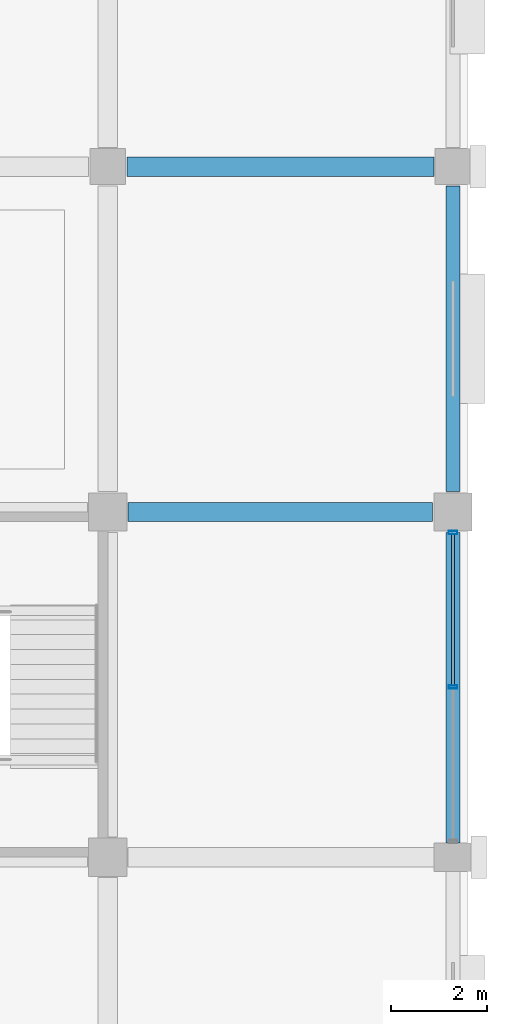
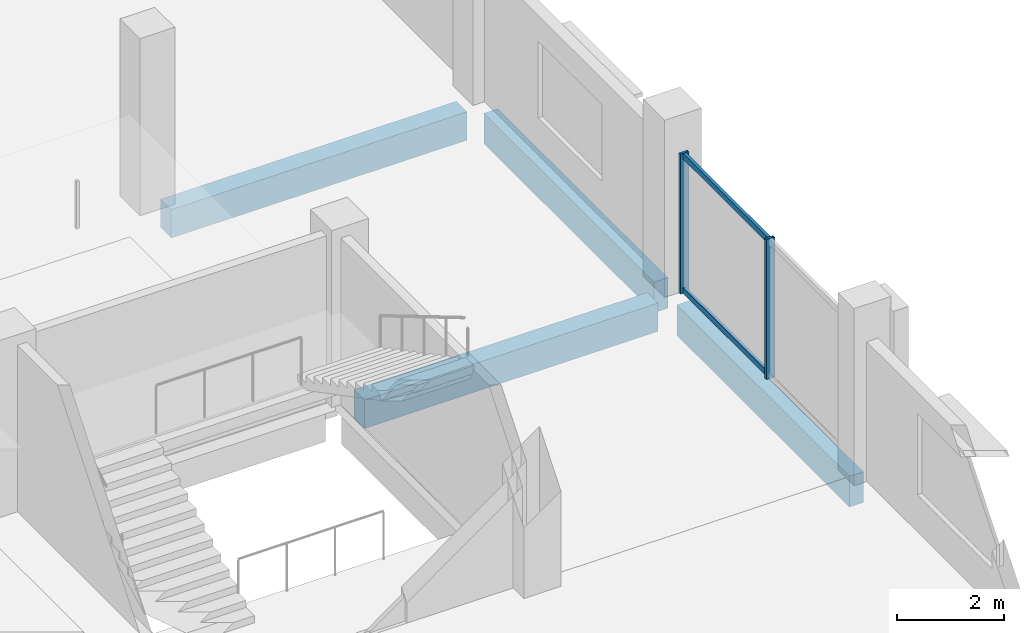
# One storey, part 69 of 107: 4 beams, 4 members, 1 element without a shape of its own.
"""IFC4 building model written with IfcOpenShell, lengths in metres."""

from ifc_helpers import new_model, si_unit, direction, frame, origin, origin_2d, place, context, subcontext, project, spatial, rectangle, hollow_rectangle, extrude, material, layer, layer_set, material_profile, profile_set, type_object, element, aggregate, save


model = new_model("IFC4")

# Units and contexts
model_context = context("Model", 3, precision=1e-05, world=origin(), true_north=direction((0.0, 1.0)))
body_context = subcontext(model_context, "Body", "Model", "MODEL_VIEW")
ifc_project = project(units=[si_unit("LENGTHUNIT", "METRE"), si_unit("AREAUNIT", "SQUARE_METRE"), si_unit("VOLUMEUNIT", "CUBIC_METRE"), si_unit("PLANEANGLEUNIT", "RADIAN"), si_unit("MASSUNIT", "GRAM", prefix="KILO")], contexts=[model_context])

# Site, building, storey
site_placement = place(None, origin())
site = spatial("IfcSite", under=ifc_project, at=site_placement, CompositionType="ELEMENT")
building_placement = place(site_placement, origin())
building = spatial("IfcBuilding", under=site, at=building_placement, Name="Kangsadwip Square Police Headquarters", CompositionType="ELEMENT")
storey_placement = place(building_placement, frame((0.0, 0.0, 5.39990234375)))
storey = spatial("IfcBuildingStorey", under=building, at=storey_placement, Name="L01", CompositionType="ELEMENT", Elevation=5.39990234375)

# Curtain wall, members
ifc_material_1 = material(Name="Thermally broken anodised aluminium AW-6063-T6", Category="aluminium")
ifc_layer = layer(ifc_material_1, 0.159912109375)
ifc_layer_set = layer_set([ifc_layer], Name="Thermally broken anodised aluminium AW-6063-T6")
curtain_wall_type = type_object("IfcCurtainWallType", Name="UnitisedCw6510x3200", PredefinedType="NOTDEFINED", material=ifc_layer_set)
curtain_wall_placement = place(storey_placement, origin())
curtain_wall = element("IfcCurtainWall", 1, at=curtain_wall_placement, inside=storey, type_object=curtain_wall_type, Name="Curtain Wall CW-L01-1656-0939", PredefinedType="NOTDEFINED")
ifc_material_2 = material(Name="Thermally broken anodised aluminium AW-6063-T6", Category="aluminium")
ifc_material_profile_1 = material_profile(ifc_material_2, hollow_rectangle(XDim=0.06494140625, YDim=0.179931640625, WallThickness=0.00390625, at=origin_2d()), Name="CWM 180X65X4")
ifc_profile_set_1 = profile_set([ifc_material_profile_1], Name="Thermally broken anodised aluminium AW-6063-T6")
member_type_1 = type_object("IfcMemberType", Name="CwMullion160x65", PredefinedType="MULLION", material=ifc_profile_set_1)
member_1_placement = place(storey_placement, frame((165.60009765625, 97.14990234375, 0.0), z_axis=(0.0, 0.0, 1.0), x_axis=(0.0, 1.0, 0.0)))
member_1 = element("IfcMember", 2, at=member_1_placement, type_object=member_type_1, Name="CW-24 mullion 2", PredefinedType="MULLION", context=body_context, shape_type="SweptSolid", body=[
    extrude(hollow_rectangle(XDim=0.06494140625, YDim=0.179931640625, WallThickness=0.00390625, at=origin_2d()), origin(), (0.0, 0.0, 1.0), 3.2001953125),
])
member_2_placement = place(storey_placement, frame((165.60009765625, 100.37255859375, 0.0), z_axis=(0.0, 0.0, 1.0), x_axis=(0.0, 1.0, 0.0)))
member_2 = element("IfcMember", 3, at=member_2_placement, type_object=member_type_1, Name="CW-24 mullion 3", PredefinedType="MULLION", context=body_context, shape_type="SweptSolid", body=[
    extrude(hollow_rectangle(XDim=0.06494140625, YDim=0.179931640625, WallThickness=0.00390625, at=origin_2d()), origin(), (0.0, 0.0, 1.0), 3.2001953125),
])
ifc_material_3 = material(Name="Thermally broken anodised aluminium AW-6063-T6", Category="aluminium")
ifc_material_profile_2 = material_profile(ifc_material_3, hollow_rectangle(XDim=0.06494140625, YDim=0.1298828125, WallThickness=0.00390625, at=origin_2d()), Name="CWT 130X65X4")
ifc_profile_set_2 = profile_set([ifc_material_profile_2], Name="Thermally broken anodised aluminium AW-6063-T6")
member_type_2 = type_object("IfcMemberType", Name="CwTransom140x60", PredefinedType="USERDEFINED", material=ifc_profile_set_2)
member_3_placement = place(storey_placement, frame((165.60009765625, 97.1826171875, 0.065185546875), z_axis=(0.0, 1.0, 0.0), x_axis=(-1.0, 0.0, 0.0)))
member_3 = element("IfcMember", 4, at=member_3_placement, type_object=member_type_2, Name="CW-24 transom 2.1", ObjectType="TRANSOM", PredefinedType="USERDEFINED", context=body_context, shape_type="SweptSolid", body=[
    extrude(hollow_rectangle(XDim=0.06494140625, YDim=0.1298828125, WallThickness=0.00390625, at=origin_2d()), origin(), (0.0, 0.0, 1.0), 3.157470703125),
])
member_4_placement = place(storey_placement, frame((165.60009765625, 97.1826171875, 3.135009765625), z_axis=(0.0, 1.0, 0.0), x_axis=(-1.0, 0.0, 0.0)))
member_4 = element("IfcMember", 5, at=member_4_placement, type_object=member_type_2, Name="CW-24 transom 2.2", ObjectType="TRANSOM", PredefinedType="USERDEFINED", context=body_context, shape_type="SweptSolid", body=[
    extrude(hollow_rectangle(XDim=0.06494140625, YDim=0.1298828125, WallThickness=0.00390625, at=origin_2d()), origin(), (0.0, 0.0, 1.0), 3.157470703125),
])
aggregate(curtain_wall, [member_1, member_2, member_3, member_4])

# Beams
ifc_material_4 = material(Name="Concrete M35 (35 MPa)", Category="concrete")
ifc_material_profile_3 = material_profile(ifc_material_4, rectangle(XDim=0.39990234375, YDim=0.64990234375, at=origin_2d()), Name="RC BM 650X400")
ifc_profile_set_3 = profile_set([ifc_material_profile_3], Name="Concrete M35 (35 MPa)")
beam_type_1 = type_object("IfcBeamType", Name="RcBeam650x400", PredefinedType="BEAM", material=ifc_profile_set_3)
beam_1_placement = place(storey_placement, frame((158.824951171875, 100.800048828125, -0.56494140625), z_axis=(1.0, 0.0, 0.0), x_axis=(0.0, 1.0, 0.0)))
element("IfcBeam", 6, at=beam_1_placement, inside=storey, type_object=beam_type_1, Name="Beam BM-L01-X-22-14", PredefinedType="BEAM", context=body_context, shape_type="SweptSolid", body=[
    extrude(rectangle(XDim=0.39990234375, YDim=0.64990234375, at=origin_2d()), origin(), (0.0, 0.0, 1.0), 6.35009765625),
])
beam_2_placement = place(storey_placement, frame((158.800048828125, 108.0, -0.56494140625), z_axis=(1.0, 0.0, 0.0), x_axis=(0.0, 1.0, 0.0)))
element("IfcBeam", 7, at=beam_2_placement, inside=storey, type_object=beam_type_1, Name="Beam BM-L01-X-22-15", PredefinedType="BEAM", context=body_context, shape_type="SweptSolid", body=[
    extrude(rectangle(XDim=0.39990234375, YDim=0.64990234375, at=origin_2d()), origin(), (0.0, 0.0, 1.0), 6.39990234375),
])
ifc_material_5 = material(Name="Concrete M40 (40 MPa)", Category="concrete")
ifc_material_profile_4 = material_profile(ifc_material_5, rectangle(XDim=0.300048828125, YDim=0.699951171875, at=origin_2d()), Name="RC SPN 700X300")
ifc_profile_set_4 = profile_set([ifc_material_profile_4], Name="Concrete M40 (40 MPa)")
beam_type_2 = type_object("IfcBeamType", Name="RcSpandrel700x300", PredefinedType="SPANDREL", material=ifc_profile_set_4)
beam_3_placement = place(storey_placement, frame((165.60009765625, 93.89990234375, -0.58984375), z_axis=(0.0, 1.0, 0.0), x_axis=(-1.0, 0.0, 0.0)))
element("IfcBeam", 8, at=beam_3_placement, inside=storey, type_object=beam_type_2, Name="Beam BM-L01-Y-23-13", PredefinedType="SPANDREL", context=body_context, shape_type="SweptSolid", body=[
    extrude(rectangle(XDim=0.300048828125, YDim=0.699951171875, at=origin_2d()), origin(), (0.0, 0.0, 1.0), 6.47509765625),
])
beam_4_placement = place(storey_placement, frame((165.60009765625, 101.22509765625, -0.58984375), z_axis=(0.0, 1.0, 0.0), x_axis=(-1.0, 0.0, 0.0)))
element("IfcBeam", 9, at=beam_4_placement, inside=storey, type_object=beam_type_2, Name="Beam BM-L01-Y-23-14", PredefinedType="SPANDREL", context=body_context, shape_type="SweptSolid", body=[
    extrude(rectangle(XDim=0.300048828125, YDim=0.699951171875, at=origin_2d()), origin(), (0.0, 0.0, 1.0), 6.375),
])

save(model, "model.ifc")
